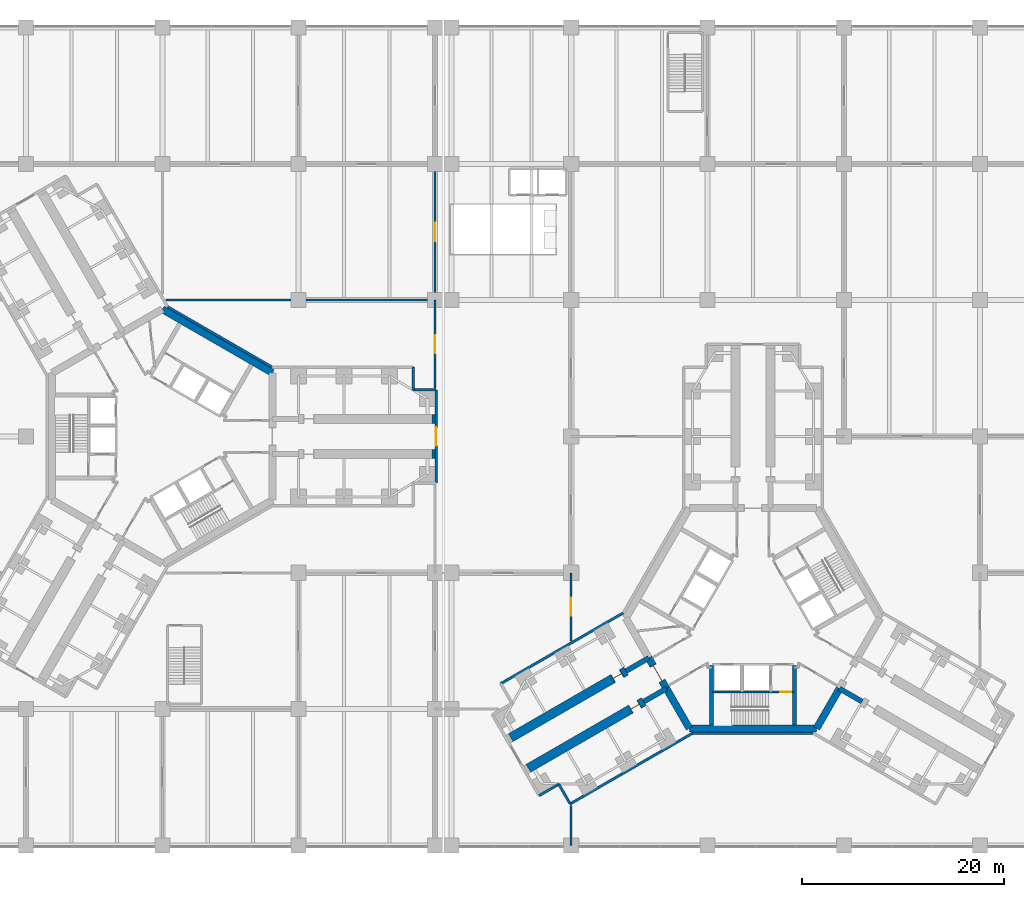
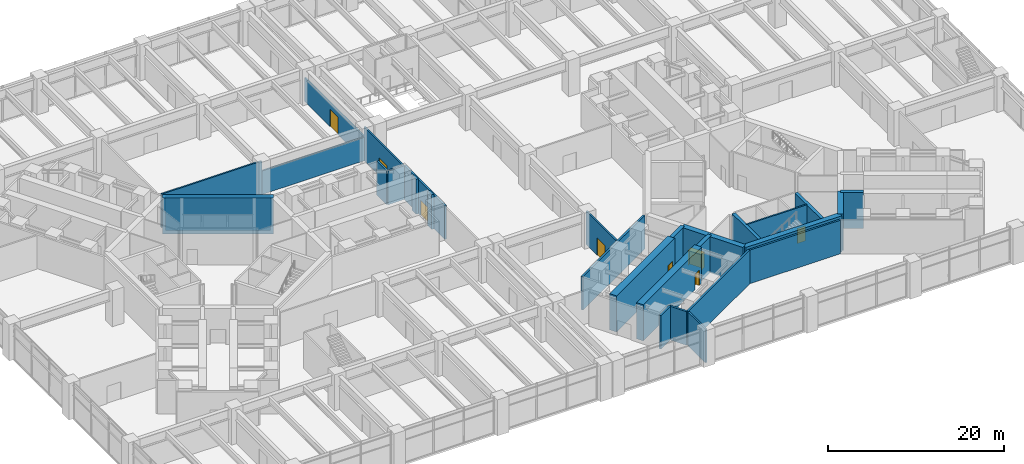
# One storey, part 24 of 31: 30 walls, 8 doors, 8 openings.
"""IFC4 building model written with IfcOpenShell, lengths in metres."""

from ifc_helpers import new_model, si_unit, direction, frame, frame_2d, origin, place, context, subcontext, project, spatial, rectangle, extrude, material, layer, layer_set, type_object, element, fill, save


model = new_model("IFC4")

# Units and contexts
model_context = context("Model", 3, precision=1e-05, world=origin(), true_north=direction((0.0, 1.0)))
body_context = subcontext(model_context, "Body", "Model", "MODEL_VIEW")
ifc_project = project(units=[si_unit("LENGTHUNIT", "METRE"), si_unit("AREAUNIT", "SQUARE_METRE"), si_unit("VOLUMEUNIT", "CUBIC_METRE"), si_unit("PLANEANGLEUNIT", "RADIAN"), si_unit("MASSUNIT", "GRAM", prefix="KILO")], contexts=[model_context])

# Site, building, storey
site_placement = place(None, origin())
site = spatial("IfcSite", under=ifc_project, at=site_placement, CompositionType="ELEMENT")
building_placement = place(site_placement, origin())
building = spatial("IfcBuilding", under=site, at=building_placement, Name="Upepo Twin Towers", CompositionType="ELEMENT")
storey_placement = place(building_placement, frame((0.0, 0.0, 15.5)))
storey = spatial("IfcBuildingStorey", under=building, at=storey_placement, Name="L03", CompositionType="ELEMENT", Elevation=15.5)

# Walls
ifc_material_1 = material(Name="Dense concrete blockwork", Category="masonry")
ifc_layer_1 = layer(ifc_material_1, 0.89990234375)
ifc_layer_set_1 = layer_set([ifc_layer_1], Name="Buttress closer 900, blockwork with fire-stopping to the curtain wall")
wall_type_1 = type_object("IfcWallType", Name="Buttress closer 900, blockwork with fire-stopping to the curtain wall", PredefinedType="PARTITIONING", material=ifc_layer_set_1)
for number, where, z_axis, x_axis, name in (
    (1, (26.699951171875, 1.75, 0.0), (0.0, 0.0, 1.0), (1.0, 0.0, 0.0), "T1 L03 wing A buttress closer L"),
    (2, (26.699951171875, -1.75, 0.0), (0.0, 0.0, 1.0), (1.0, 0.0, 0.0), "T1 L03 wing A buttress closer R"),
):
    element("IfcWall", number, at=place(storey_placement, frame(where, z_axis=z_axis, x_axis=x_axis)), inside=storey, type_object=wall_type_1, Name=name, PredefinedType="PARTITIONING", context=body_context, shape_type="SweptSolid", body=[
        extrude(rectangle(XDim=0.300048828125, YDim=0.89990234375, at=frame_2d((0.14990234375, 0.0))), origin(), (0.0, 0.0, 1.0), 4.800048828125),
    ])
ifc_material_2 = material(Name="Concrete C60/75", Category="concrete")
ifc_layer_2 = layer(ifc_material_2, 0.5)
ifc_layer_set_2 = layer_set([ifc_layer_2], Name="Concrete C60/75")
wall_type_2 = type_object("IfcWallType", Name="Buttress wall 500 RC", PredefinedType="SHEAR", material=ifc_layer_set_2)
for number, where, z_axis, x_axis, name in (
    (3, (49.92822265625, -24.9697265625, 0.0), (0.0, 0.0, 1.0), (-0.866031863473, -0.499988811324, 0.0), "T2 wing B buttress wall L"),
    (4, (48.17822265625, -21.938720703125, 0.0), (0.0, 0.0, 1.0), (-0.866072649678, -0.499918158782, 0.0), "T2 wing B buttress wall R"),
    (5, (67.07177734375, -24.9697265625, 0.0), (0.0, 0.0, 1.0), (0.866031863473, -0.499988811324, 0.0), "T2 wing C buttress wall R"),
):
    element("IfcWall", number, at=place(storey_placement, frame(where, z_axis=z_axis, x_axis=x_axis)), inside=storey, type_object=wall_type_2, Name=name, PredefinedType="SHEAR", context=body_context, shape_type="SweptSolid", body=[
        extrude(rectangle(XDim=2.591796875, YDim=0.5, at=frame_2d((1.2958984375, 0.0))), origin(), (0.0, 0.0, 1.0), 5.0),
    ])

# Wall, opening, door
ifc_material_3 = material(Name="Concrete C60/75", Category="concrete")
ifc_layer_3 = layer(ifc_material_3, 0.89990234375)
ifc_layer_set_3 = layer_set([ifc_layer_3], Name="Concrete C60/75")
wall_type_3 = type_object("IfcWallType", Name="Buttress wall 900 RC", PredefinedType="SHEAR", material=ifc_layer_set_3)
wall_1_placement = place(storey_placement, frame((47.68359375, -26.265625, 0.0), z_axis=(0.0, 0.0, 1.0), x_axis=(-0.866027579429, -0.499996231654, 0.0)))
wall_1 = element("IfcWall", 6, at=wall_1_placement, inside=storey, type_object=wall_type_3, Name="T2 wing B buttress wall L part 2", PredefinedType="SHEAR", context=body_context, shape_type="SweptSolid", body=[
    extrude(rectangle(XDim=13.19970703125, YDim=0.89990234375, at=frame_2d((6.599853515625, 0.0))), origin(), (0.0, 0.0, 1.0), 5.0),
])
opening_1_placement = place(wall_1_placement, frame((0.5, 0.0, 0.0)))
opening_1 = element("IfcOpeningElement", 7, at=opening_1_placement, cuts=wall_1, Name="Opening D1", PredefinedType="OPENING", context=body_context, shape_type="SweptSolid", body=[
    extrude(rectangle(XDim=1.0, YDim=2.10009765625, at=frame_2d((0.5, 1.050048828125))), frame((0.0, 0.4599609375, 0.0), z_axis=(0.0, -1.0, 0.0), x_axis=(1.0, 0.0, 0.0)), (0.0, 0.0, 1.0), 0.919921875),
])
ifc_material_4 = material(Name="Timber doorset", Category="wood")
door_type_1 = type_object("IfcDoorType", Name="Room door 1000 FD30", OperationType="SINGLE_SWING_LEFT", PredefinedType="DOOR", material=ifc_material_4)
door_1_placement = place(opening_1_placement, origin())
door_1 = element("IfcDoor", 8, at=door_1_placement, inside=storey, type_object=door_type_1, Name="T2 L03 research office door", OperationType="SINGLE_SWING_LEFT", OverallHeight=2.10009765625, OverallWidth=1.0, PredefinedType="DOOR", context=body_context, shape_type="SweptSolid", body=[
    extrude(rectangle(XDim=0.92, YDim=2.06009765625, at=frame_2d((0.5, 1.030029296875))), frame((0.0, 0.02490234375, 0.0), z_axis=(0.0, -1.0, 0.0), x_axis=(1.0, 0.0, 0.0)), (0.0, 0.0, 1.0), 0.050048828125),
    extrude(rectangle(XDim=0.04, YDim=2.10009765625, at=frame_2d((0.02001953125, 1.050048828125))), frame((0.0, 0.44970703125, 0.0), z_axis=(0.0, -1.0, 0.0), x_axis=(1.0, 0.0, 0.0)), (0.0, 0.0, 1.0), 0.8994140625),
    extrude(rectangle(XDim=0.04, YDim=2.10009765625, at=frame_2d((0.97998046875, 1.050048828125))), frame((0.0, 0.44970703125, 0.0), z_axis=(0.0, -1.0, 0.0), x_axis=(1.0, 0.0, 0.0)), (0.0, 0.0, 1.0), 0.8994140625),
    extrude(rectangle(XDim=0.92, YDim=0.04, at=frame_2d((0.5, 2.080078125))), frame((0.0, 0.44970703125, 0.0), z_axis=(0.0, -1.0, 0.0), x_axis=(1.0, 0.0, 0.0)), (0.0, 0.0, 1.0), 0.8994140625),
])
fill(opening_1, door_1)

wall_2_placement = place(storey_placement, frame((45.93359375, -23.234375, 0.0), z_axis=(0.0, 0.0, 1.0), x_axis=(-0.866019570528, -0.500010103361, 0.0)))
wall_2 = element("IfcWall", 9, at=wall_2_placement, inside=storey, type_object=wall_type_3, Name="T2 wing B buttress wall R part 2", PredefinedType="SHEAR", context=body_context, shape_type="SweptSolid", body=[
    extrude(rectangle(XDim=13.199951171875, YDim=0.89990234375, at=frame_2d((6.60009765625, 0.0))), origin(), (0.0, 0.0, 1.0), 5.0),
])
opening_2_placement = place(wall_2_placement, frame((0.5, 0.0, 0.0)))
opening_2 = element("IfcOpeningElement", 10, at=opening_2_placement, cuts=wall_2, Name="Opening D1", PredefinedType="OPENING", context=body_context, shape_type="SweptSolid", body=[
    extrude(rectangle(XDim=1.0, YDim=2.10009765625, at=frame_2d((0.5, 1.050048828125))), frame((0.0, 0.4599609375, 0.0), z_axis=(0.0, -1.0, 0.0), x_axis=(1.0, 0.0, 0.0)), (0.0, 0.0, 1.0), 0.919921875),
])
door_2_placement = place(opening_2_placement, origin())
door_2 = element("IfcDoor", 11, at=door_2_placement, inside=storey, type_object=door_type_1, Name="T2 L03 research office door", OperationType="SINGLE_SWING_LEFT", OverallHeight=2.10009765625, OverallWidth=1.0, PredefinedType="DOOR", context=body_context, shape_type="SweptSolid", body=[
    extrude(rectangle(XDim=0.92, YDim=2.06009765625, at=frame_2d((0.5, 1.030029296875))), frame((0.0, 0.02490234375, 0.0), z_axis=(0.0, -1.0, 0.0), x_axis=(1.0, 0.0, 0.0)), (0.0, 0.0, 1.0), 0.050048828125),
    extrude(rectangle(XDim=0.04, YDim=2.10009765625, at=frame_2d((0.02001953125, 1.050048828125))), frame((0.0, 0.44970703125, 0.0), z_axis=(0.0, -1.0, 0.0), x_axis=(1.0, 0.0, 0.0)), (0.0, 0.0, 1.0), 0.8994140625),
    extrude(rectangle(XDim=0.04, YDim=2.10009765625, at=frame_2d((0.97998046875, 1.050048828125))), frame((0.0, 0.44970703125, 0.0), z_axis=(0.0, -1.0, 0.0), x_axis=(1.0, 0.0, 0.0)), (0.0, 0.0, 1.0), 0.8994140625),
    extrude(rectangle(XDim=0.92, YDim=0.04, at=frame_2d((0.5, 2.080078125))), frame((0.0, 0.44970703125, 0.0), z_axis=(0.0, -1.0, 0.0), x_axis=(1.0, 0.0, 0.0)), (0.0, 0.0, 1.0), 0.8994140625),
])
fill(opening_2, door_2)

# Wall
ifc_material_5 = material(Name="Concrete C60/75", Category="concrete")
ifc_layer_4 = layer(ifc_material_5, 0.699951171875)
ifc_layer_set_4 = layer_set([ifc_layer_4], Name="Concrete C60/75")
wall_type_4 = type_object("IfcWallType", Name="Core wall 700 RC", PredefinedType="SHEAR", material=ifc_layer_set_4)
wall_3_placement = place(storey_placement, frame((10.908447265625, 6.2978515625, 0.0), z_axis=(0.0, 0.0, 1.0), x_axis=(-0.866021940709, 0.500005998175, 0.0)))
element("IfcWall", 12, at=wall_3_placement, inside=storey, type_object=wall_type_4, Name="T1 core wall 060", PredefinedType="SHEAR", context=body_context, shape_type="SweptSolid", body=[
    extrude(rectangle(XDim=12.595947265625, YDim=0.699951171875, at=frame_2d((6.2978515625, 0.0))), origin(), (0.0, 0.0, 1.0), 5.0),
])

# Wall, opening, door
wall_4_placement = place(storey_placement, frame((48.17822265625, -21.938720703125, 0.0), z_axis=(0.0, 0.0, 1.0), x_axis=(0.500010275428, -0.866019471182, 0.0)))
wall_4 = element("IfcWall", 13, at=wall_4_placement, inside=storey, type_object=wall_type_4, Name="T2 core wall 120", PredefinedType="SHEAR", context=body_context, shape_type="SweptSolid", body=[
    extrude(rectangle(XDim=3.5, YDim=0.699951171875, at=frame_2d((1.75, 0.0))), origin(), (0.0, 0.0, 1.0), 5.0),
])
opening_3_placement = place(wall_4_placement, frame((0.85009765625, 0.0, 0.0)))
opening_3 = element("IfcOpeningElement", 14, at=opening_3_placement, cuts=wall_4, Name="Opening D2", PredefinedType="OPENING", context=body_context, shape_type="SweptSolid", body=[
    extrude(rectangle(XDim=1.800048828125, YDim=2.10009765625, at=frame_2d((0.89990234375, 1.050048828125))), frame((0.0, 0.35986328125, 0.0), z_axis=(0.0, -1.0, 0.0), x_axis=(1.0, 0.0, 0.0)), (0.0, 0.0, 1.0), 0.719970703125),
])
ifc_material_6 = material(Name="Timber doorset", Category="wood")
door_type_2 = type_object("IfcDoorType", Name="Corridor double door 1800 FD60", OperationType="DOUBLE_DOOR_DOUBLE_SWING", PredefinedType="DOOR", material=ifc_material_6)
door_3_placement = place(opening_3_placement, origin())
door_3 = element("IfcDoor", 15, at=door_3_placement, inside=storey, type_object=door_type_2, Name="T2 L03 wing B corridor door", OperationType="DOUBLE_DOOR_DOUBLE_SWING", OverallHeight=2.10009765625, OverallWidth=1.800048828125, PredefinedType="DOOR", context=body_context, shape_type="SweptSolid", body=[
    extrude(rectangle(XDim=1.720048828125, YDim=2.06009765625, at=frame_2d((0.89990234375, 1.030029296875))), frame((0.0, 0.02490234375, 0.0), z_axis=(0.0, -1.0, 0.0), x_axis=(1.0, 0.0, 0.0)), (0.0, 0.0, 1.0), 0.050048828125),
    extrude(rectangle(XDim=0.04, YDim=2.10009765625, at=frame_2d((0.02001953125, 1.050048828125))), frame((0.0, 0.349609375, 0.0), z_axis=(0.0, -1.0, 0.0), x_axis=(1.0, 0.0, 0.0)), (0.0, 0.0, 1.0), 0.699462890625),
    extrude(rectangle(XDim=0.04, YDim=2.10009765625, at=frame_2d((1.780029296875, 1.050048828125))), frame((0.0, 0.349609375, 0.0), z_axis=(0.0, -1.0, 0.0), x_axis=(1.0, 0.0, 0.0)), (0.0, 0.0, 1.0), 0.699462890625),
    extrude(rectangle(XDim=1.720048828125, YDim=0.04, at=frame_2d((0.89990234375, 2.080078125))), frame((0.0, 0.349609375, 0.0), z_axis=(0.0, -1.0, 0.0), x_axis=(1.0, 0.0, 0.0)), (0.0, 0.0, 1.0), 0.699462890625),
])
fill(opening_3, door_3)

# Walls
wall_5_placement = place(storey_placement, frame((49.92822265625, -24.9697265625, 0.0), z_axis=(0.0, 0.0, 1.0), x_axis=(0.499984222037, -0.866034513004, 0.0)))
element("IfcWall", 16, at=wall_5_placement, inside=storey, type_object=wall_type_4, Name="T2 core wall 120 L", PredefinedType="SHEAR", context=body_context, shape_type="SweptSolid", body=[
    extrude(rectangle(XDim=4.548095703125, YDim=0.699951171875, at=frame_2d((2.27392578125, 0.0))), origin(), (0.0, 0.0, 1.0), 5.0),
])
wall_6_placement = place(storey_placement, frame((52.2021484375, -28.908447265625, 0.0), z_axis=(0.0, 0.0, 1.0), x_axis=(1.0, 0.0, 0.0)))
element("IfcWall", 17, at=wall_6_placement, inside=storey, type_object=wall_type_4, Name="T2 core wall 180", PredefinedType="SHEAR", context=body_context, shape_type="SweptSolid", body=[
    extrude(rectangle(XDim=12.595703125, YDim=0.699951171875, at=frame_2d((6.2978515625, 0.0))), origin(), (0.0, 0.0, 1.0), 5.0),
])
wall_7_placement = place(storey_placement, frame((64.7978515625, -28.908447265625, 0.0), z_axis=(0.0, 0.0, 1.0), x_axis=(0.499984222037, 0.866034513004, 0.0)))
element("IfcWall", 18, at=wall_7_placement, inside=storey, type_object=wall_type_4, Name="T2 core wall 240 R", PredefinedType="SHEAR", context=body_context, shape_type="SweptSolid", body=[
    extrude(rectangle(XDim=4.548095703125, YDim=0.699951171875, at=frame_2d((2.27392578125, 0.0))), origin(), (0.0, 0.0, 1.0), 5.0),
])
ifc_material_7 = material(Name="Concrete blockwork", Category="masonry")
ifc_layer_5 = layer(ifc_material_7, 0.199951171875)
ifc_layer_set_5 = layer_set([ifc_layer_5], Name="Podium partition 200 blockwork")
wall_type_5 = type_object("IfcWallType", Name="Podium partition 200 blockwork", PredefinedType="PARTITIONING", material=ifc_layer_set_5)
wall_8_placement = place(storey_placement, frame((0.346435546875, 13.5, 0.0), z_axis=(0.0, 0.0, 1.0), x_axis=(1.0, 0.0, 0.0)))
element("IfcWall", 19, at=wall_8_placement, inside=storey, type_object=wall_type_5, Name="L03 podium wall Y24", PredefinedType="PARTITIONING", context=body_context, shape_type="SweptSolid", body=[
    extrude(rectangle(XDim=13.153564453125, YDim=0.199951171875, at=frame_2d((6.57666015625, 0.0))), origin(), (0.0, 0.0, 1.0), 4.64990234375),
])

# Wall, opening, door
wall_9_placement = place(storey_placement, frame((27.0, 4.800048828125, 0.0), z_axis=(0.0, 0.0, 1.0), x_axis=(0.0, 1.0, 0.0)))
wall_9 = element("IfcWall", 20, at=wall_9_placement, inside=storey, type_object=wall_type_5, Name="L03 podium wall X43", PredefinedType="PARTITIONING", context=body_context, shape_type="SweptSolid", body=[
    extrude(rectangle(XDim=8.699951171875, YDim=0.199951171875, at=frame_2d((4.35009765625, 0.0))), origin(), (0.0, 0.0, 1.0), 4.64990234375),
])
opening_4_placement = place(wall_9_placement, frame((3.449951171875, 0.0, 0.0)))
opening_4 = element("IfcOpeningElement", 21, at=opening_4_placement, cuts=wall_9, Name="Opening D10", PredefinedType="OPENING", context=body_context, shape_type="SweptSolid", body=[
    extrude(rectangle(XDim=1.800048828125, YDim=2.39990234375, at=frame_2d((0.89990234375, 1.199951171875))), frame((0.0, 0.10986328125, 0.0), z_axis=(0.0, -1.0, 0.0), x_axis=(1.0, 0.0, 0.0)), (0.0, 0.0, 1.0), 0.219970703125),
])
ifc_material_8 = material(Name="Timber doorset", Category="wood")
door_type_3 = type_object("IfcDoorType", Name="Podium double door 1800", OperationType="DOUBLE_DOOR_DOUBLE_SWING", PredefinedType="DOOR", material=ifc_material_8)
door_4_placement = place(opening_4_placement, origin())
door_4 = element("IfcDoor", 22, at=door_4_placement, inside=storey, type_object=door_type_3, Name="L03 toilets door", OperationType="DOUBLE_DOOR_DOUBLE_SWING", OverallHeight=2.39990234375, OverallWidth=1.800048828125, PredefinedType="DOOR", context=body_context, shape_type="SweptSolid", body=[
    extrude(rectangle(XDim=1.800048828125, YDim=2.39990234375, at=frame_2d((0.89990234375, 1.199951171875))), frame((0.0, 0.02490234375, 0.0), z_axis=(0.0, -1.0, 0.0), x_axis=(1.0, 0.0, 0.0)), (0.0, 0.0, 1.0), 0.050048828125),
])
fill(opening_4, door_4)

# Wall
wall_10_placement = place(storey_placement, frame((13.5, 13.5, 0.0), z_axis=(0.0, 0.0, 1.0), x_axis=(1.0, 0.0, 0.0)))
element("IfcWall", 23, at=wall_10_placement, inside=storey, type_object=wall_type_5, Name="L03 podium wall Y34", PredefinedType="PARTITIONING", context=body_context, shape_type="SweptSolid", body=[
    extrude(rectangle(XDim=13.5, YDim=0.199951171875, at=frame_2d((6.75, 0.0))), origin(), (0.0, 0.0, 1.0), 3.25),
])

# Wall, opening, door
wall_11_placement = place(storey_placement, frame((27.0, 13.5, 0.0), z_axis=(0.0, 0.0, 1.0), x_axis=(0.0, 1.0, 0.0)))
wall_11 = element("IfcWall", 24, at=wall_11_placement, inside=storey, type_object=wall_type_5, Name="L03 podium wall X44", PredefinedType="PARTITIONING", context=body_context, shape_type="SweptSolid", body=[
    extrude(rectangle(XDim=13.5, YDim=0.199951171875, at=frame_2d((6.75, 0.0))), origin(), (0.0, 0.0, 1.0), 3.25),
])
opening_5_placement = place(wall_11_placement, frame((5.85009765625, 0.0, 0.0)))
opening_5 = element("IfcOpeningElement", 25, at=opening_5_placement, cuts=wall_11, Name="Opening D10", PredefinedType="OPENING", context=body_context, shape_type="SweptSolid", body=[
    extrude(rectangle(XDim=1.800048828125, YDim=2.39990234375, at=frame_2d((0.89990234375, 1.199951171875))), frame((0.0, 0.10986328125, 0.0), z_axis=(0.0, -1.0, 0.0), x_axis=(1.0, 0.0, 0.0)), (0.0, 0.0, 1.0), 0.219970703125),
])
door_5_placement = place(opening_5_placement, origin())
door_5 = element("IfcDoor", 26, at=door_5_placement, inside=storey, type_object=door_type_3, Name="L03 staff offices 3.02 door", OperationType="DOUBLE_DOOR_DOUBLE_SWING", OverallHeight=2.39990234375, OverallWidth=1.800048828125, PredefinedType="DOOR", context=body_context, shape_type="SweptSolid", body=[
    extrude(rectangle(XDim=1.800048828125, YDim=2.39990234375, at=frame_2d((0.89990234375, 1.199951171875))), frame((0.0, 0.02490234375, 0.0), z_axis=(0.0, -1.0, 0.0), x_axis=(1.0, 0.0, 0.0)), (0.0, 0.0, 1.0), 0.050048828125),
])
fill(opening_5, door_5)

# Wall
wall_12_placement = place(storey_placement, frame((40.5, -40.5, 0.0), z_axis=(0.0, 0.0, 1.0), x_axis=(0.0, 1.0, 0.0)))
element("IfcWall", 27, at=wall_12_placement, inside=storey, type_object=wall_type_5, Name="L03 podium wall X50", PredefinedType="PARTITIONING", context=body_context, shape_type="SweptSolid", body=[
    extrude(rectangle(XDim=3.967041015625, YDim=0.199951171875, at=frame_2d((1.9833984375, 0.0))), origin(), (0.0, 0.0, 1.0), 4.64990234375),
])

# Wall, opening, door
wall_13_placement = place(storey_placement, frame((40.5, -20.251708984375, 0.0), z_axis=(0.0, 0.0, 1.0), x_axis=(0.0, 1.0, 0.0)))
wall_13 = element("IfcWall", 28, at=wall_13_placement, inside=storey, type_object=wall_type_5, Name="L03 podium wall X51", PredefinedType="PARTITIONING", context=body_context, shape_type="SweptSolid", body=[
    extrude(rectangle(XDim=6.751708984375, YDim=0.199951171875, at=frame_2d((3.3759765625, 0.0))), origin(), (0.0, 0.0, 1.0), 4.64990234375),
])
opening_6_placement = place(wall_13_placement, frame((2.475830078125, 0.0, 0.0)))
opening_6 = element("IfcOpeningElement", 29, at=opening_6_placement, cuts=wall_13, Name="Opening D10", PredefinedType="OPENING", context=body_context, shape_type="SweptSolid", body=[
    extrude(rectangle(XDim=1.800048828125, YDim=2.39990234375, at=frame_2d((0.89990234375, 1.199951171875))), frame((0.0, 0.10986328125, 0.0), z_axis=(0.0, -1.0, 0.0), x_axis=(1.0, 0.0, 0.0)), (0.0, 0.0, 1.0), 0.219970703125),
])
door_6_placement = place(opening_6_placement, origin())
door_6 = element("IfcDoor", 30, at=door_6_placement, inside=storey, type_object=door_type_3, Name="L03 laboratory store-research offices 3.01 door", OperationType="DOUBLE_DOOR_DOUBLE_SWING", OverallHeight=2.39990234375, OverallWidth=1.800048828125, PredefinedType="DOOR", context=body_context, shape_type="SweptSolid", body=[
    extrude(rectangle(XDim=1.800048828125, YDim=2.39990234375, at=frame_2d((0.89990234375, 1.199951171875))), frame((0.0, 0.02490234375, 0.0), z_axis=(0.0, -1.0, 0.0), x_axis=(1.0, 0.0, 0.0)), (0.0, 0.0, 1.0), 0.050048828125),
])
fill(opening_6, door_6)

ifc_material_9 = material(Name="Concrete C40/50", Category="concrete")
ifc_layer_6 = layer(ifc_material_9, 0.199951171875)
ifc_layer_set_6 = layer_set([ifc_layer_6], Name="Concrete C40/50")
wall_type_6 = type_object("IfcWallType", Name="Shaft wall 200 RC", PredefinedType="SHEAR", material=ifc_layer_set_6)
wall_14_placement = place(storey_placement, frame((54.5, -25.300048828125, 0.0), z_axis=(0.0, 0.0, 1.0), x_axis=(1.0, 0.0, 0.0)))
wall_14 = element("IfcWall", 31, at=wall_14_placement, inside=storey, type_object=wall_type_6, Name="T2 core W180 stair wall", PredefinedType="SHEAR", context=body_context, shape_type="SweptSolid", body=[
    extrude(rectangle(XDim=8.0, YDim=0.199951171875, at=frame_2d((4.0, 0.0))), origin(), (0.0, 0.0, 1.0), 5.0),
])
opening_7_placement = place(wall_14_placement, frame((6.699951171875, 0.0, 0.0)))
opening_7 = element("IfcOpeningElement", 32, at=opening_7_placement, cuts=wall_14, Name="Opening D3", PredefinedType="OPENING", context=body_context, shape_type="SweptSolid", body=[
    extrude(rectangle(XDim=1.10009765625, YDim=2.10009765625, at=frame_2d((0.550048828125, 1.050048828125))), frame((0.0, 0.10986328125, 0.0), z_axis=(0.0, -1.0, 0.0), x_axis=(1.0, 0.0, 0.0)), (0.0, 0.0, 1.0), 0.219970703125),
])
ifc_material_10 = material(Name="Timber doorset", Category="wood")
door_type_4 = type_object("IfcDoorType", Name="Stair door 1100 FD60", OperationType="SINGLE_SWING_LEFT", PredefinedType="DOOR", material=ifc_material_10)
door_7_placement = place(opening_7_placement, origin())
door_7 = element("IfcDoor", 33, at=door_7_placement, inside=storey, type_object=door_type_4, Name="T2 L03 stair door", OperationType="SINGLE_SWING_RIGHT", OverallHeight=2.10009765625, OverallWidth=1.10009765625, PredefinedType="DOOR", context=body_context, shape_type="SweptSolid", body=[
    extrude(rectangle(XDim=1.10009765625, YDim=2.10009765625, at=frame_2d((0.550048828125, 1.050048828125))), frame((0.0, 0.02490234375, 0.0), z_axis=(0.0, -1.0, 0.0), x_axis=(1.0, 0.0, 0.0)), (0.0, 0.0, 1.0), 0.050048828125),
])
fill(opening_7, door_7)

# Walls
ifc_material_11 = material(Name="Concrete C40/50", Category="concrete")
ifc_layer_7 = layer(ifc_material_11, 0.39990234375)
ifc_layer_set_7 = layer_set([ifc_layer_7], Name="Concrete C40/50")
wall_type_7 = type_object("IfcWallType", Name="Shaft wall 400 RC", PredefinedType="SHEAR", material=ifc_layer_set_7)
for number, where, z_axis, x_axis, name in (
    (34, (62.60009765625, -22.699951171875, 0.0), (0.0, 0.0, 1.0), (0.0, -1.0, 0.0), "T2 core W180 side wall N"),
    (35, (54.39990234375, -22.699951171875, 0.0), (0.0, 0.0, 1.0), (0.0, -1.0, 0.0), "T2 core W180 side wall S"),
):
    element("IfcWall", number, at=place(storey_placement, frame(where, z_axis=z_axis, x_axis=x_axis)), inside=storey, type_object=wall_type_7, Name=name, PredefinedType="SHEAR", context=body_context, shape_type="SweptSolid", body=[
        extrude(rectangle(XDim=5.8583984375, YDim=0.39990234375, at=frame_2d((2.92919921875, 0.0))), origin(), (0.0, 0.0, 1.0), 5.0),
    ])
ifc_material_12 = material(Name="Concrete blockwork", Category="masonry")
ifc_layer_8 = layer(ifc_material_12, 0.25)
ifc_layer_set_8 = layer_set([ifc_layer_8], Name="Tower enclosure wall 250 blockwork")
wall_type_8 = type_object("IfcWallType", Name="Tower enclosure wall 250 blockwork", PredefinedType="STANDARD", material=ifc_layer_set_8)
wall_15_placement = place(storey_placement, frame((0.5244140625, 12.841552734375, 0.0), z_axis=(0.0, 0.0, 1.0), x_axis=(0.866027502425, -0.499996365031, 0.0)))
element("IfcWall", 36, at=wall_15_placement, inside=storey, type_object=wall_type_8, Name="T1 L03 enclosure wall 14", PredefinedType="STANDARD", context=body_context, shape_type="SweptSolid", body=[
    extrude(rectangle(XDim=11.93310546875, YDim=0.25, at=frame_2d((5.966552734375, 0.0))), origin(), (0.0, 0.0, 1.0), 4.64990234375),
])
for number, where, z_axis, x_axis, name in (
    (37, (24.875, 6.875, 0.0), (0.0, 0.0, 1.0), (0.0, -1.0, 0.0), "T1 L03 enclosure wall 16"),
    (38, (24.875, 4.625, 0.0), (0.0, 0.0, 1.0), (1.0, 0.0, 0.0), "T1 L03 enclosure wall 17"),
):
    element("IfcWall", number, at=place(storey_placement, frame(where, z_axis=z_axis, x_axis=x_axis)), inside=storey, type_object=wall_type_8, Name=name, PredefinedType="STANDARD", context=body_context, shape_type="SweptSolid", body=[
        extrude(rectangle(XDim=2.25, YDim=0.25, at=frame_2d((1.125, 0.0))), origin(), (0.0, 0.0, 1.0), 4.64990234375),
    ])

# Wall, opening, door
wall_16_placement = place(storey_placement, frame((27.125, 4.625, 0.0), z_axis=(0.0, 0.0, 1.0), x_axis=(0.0, -1.0, 0.0)))
wall_16 = element("IfcWall", 39, at=wall_16_placement, inside=storey, type_object=wall_type_8, Name="T1 L03 enclosure wall 18", PredefinedType="STANDARD", context=body_context, shape_type="SweptSolid", body=[
    extrude(rectangle(XDim=9.25, YDim=0.25, at=frame_2d((4.625, 0.0))), origin(), (0.0, 0.0, 1.0), 4.64990234375),
])
opening_8_placement = place(wall_16_placement, frame((3.72509765625, 0.0, 0.0)))
opening_8 = element("IfcOpeningElement", 40, at=opening_8_placement, cuts=wall_16, Name="Opening D2", PredefinedType="OPENING", context=body_context, shape_type="SweptSolid", body=[
    extrude(rectangle(XDim=1.800048828125, YDim=2.10009765625, at=frame_2d((0.89990234375, 1.050048828125))), frame((0.0, 0.135009765625, 0.0), z_axis=(0.0, -1.0, 0.0), x_axis=(1.0, 0.0, 0.0)), (0.0, 0.0, 1.0), 0.27001953125),
])
door_8_placement = place(opening_8_placement, origin())
door_8 = element("IfcDoor", 41, at=door_8_placement, inside=storey, type_object=door_type_2, Name="T1 L03 wing A podium door", OperationType="DOUBLE_DOOR_DOUBLE_SWING", OverallHeight=2.10009765625, OverallWidth=1.800048828125, PredefinedType="DOOR", context=body_context, shape_type="SweptSolid", body=[
    extrude(rectangle(XDim=1.800048828125, YDim=2.10009765625, at=frame_2d((0.89990234375, 1.050048828125))), frame((0.0, 0.02490234375, 0.0), z_axis=(0.0, -1.0, 0.0), x_axis=(1.0, 0.0, 0.0)), (0.0, 0.0, 1.0), 0.050048828125),
])
fill(opening_8, door_8)

# Walls
wall_17_placement = place(storey_placement, frame((64.466552734375, -29.38330078125, 0.0), z_axis=(0.0, 0.0, 1.0), x_axis=(-1.0, 0.0, 0.0)))
element("IfcWall", 42, at=wall_17_placement, inside=storey, type_object=wall_type_8, Name="T2 L03 enclosure wall 6", PredefinedType="STANDARD", context=body_context, shape_type="SweptSolid", body=[
    extrude(rectangle(XDim=11.93310546875, YDim=0.25, at=frame_2d((5.966552734375, 0.0))), origin(), (0.0, 0.0, 1.0), 4.64990234375),
])
wall_18_placement = place(storey_placement, frame((52.533447265625, -29.38330078125, 0.0), z_axis=(0.0, 0.0, 1.0), x_axis=(-0.866027500821, -0.499996367808, 0.0)))
element("IfcWall", 43, at=wall_18_placement, inside=storey, type_object=wall_type_8, Name="T2 L03 enclosure wall 7", PredefinedType="STANDARD", context=body_context, shape_type="SweptSolid", body=[
    extrude(rectangle(XDim=14.01611328125, YDim=0.25, at=frame_2d((7.008056640625, 0.0))), origin(), (0.0, 0.0, 1.0), 4.64990234375),
])
for number, where, z_axis, x_axis, name in (
    (44, (40.39501953125, -36.391357421875, 0.0), (0.0, 0.0, 1.0), (-0.500013631625, 0.866017533419, 0.0), "T2 L03 enclosure wall 8"),
    (45, (39.27001953125, -34.44287109375, 0.0), (0.0, 0.0, 1.0), (-0.866017533419, -0.500013631625, 0.0), "T2 L03 enclosure wall 9"),
):
    element("IfcWall", number, at=place(storey_placement, frame(where, z_axis=z_axis, x_axis=x_axis)), inside=storey, type_object=wall_type_8, Name=name, PredefinedType="STANDARD", context=body_context, shape_type="SweptSolid", body=[
        extrude(rectangle(XDim=2.25, YDim=0.25, at=frame_2d((1.125, 0.0))), origin(), (0.0, 0.0, 1.0), 4.64990234375),
    ])
wall_19_placement = place(storey_placement, frame((33.52001953125, -24.483642578125, 0.0), z_axis=(0.0, 0.0, 1.0), x_axis=(0.866027500821, 0.499996367808, 0.0)))
element("IfcWall", 46, at=wall_19_placement, inside=storey, type_object=wall_type_8, Name="T2 L03 enclosure wall 13", PredefinedType="STANDARD", context=body_context, shape_type="SweptSolid", body=[
    extrude(rectangle(XDim=14.01611328125, YDim=0.25, at=frame_2d((7.008056640625, 0.0))), origin(), (0.0, 0.0, 1.0), 4.64990234375),
])

save(model, "model.ifc")
